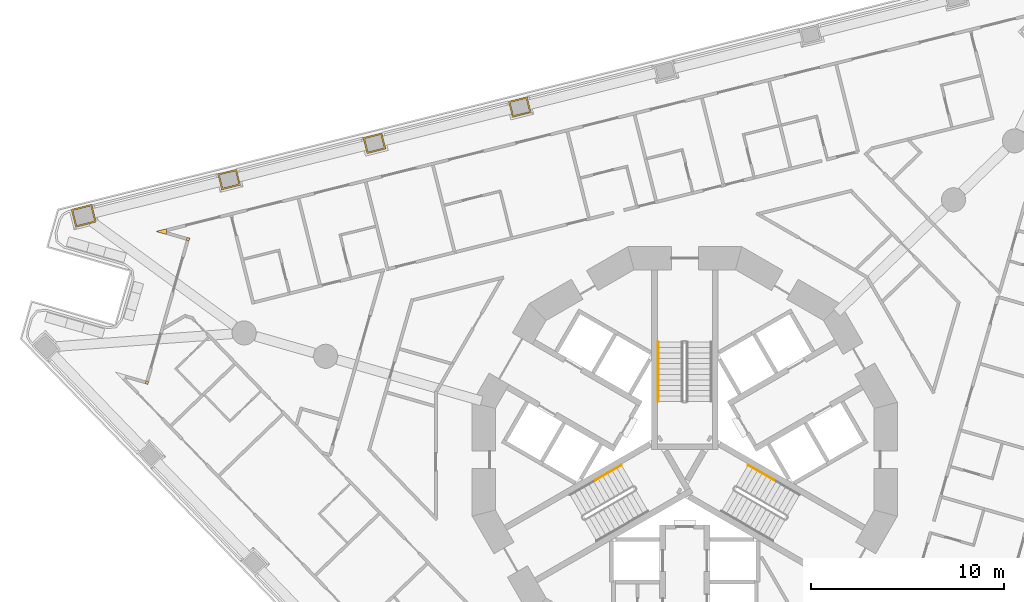
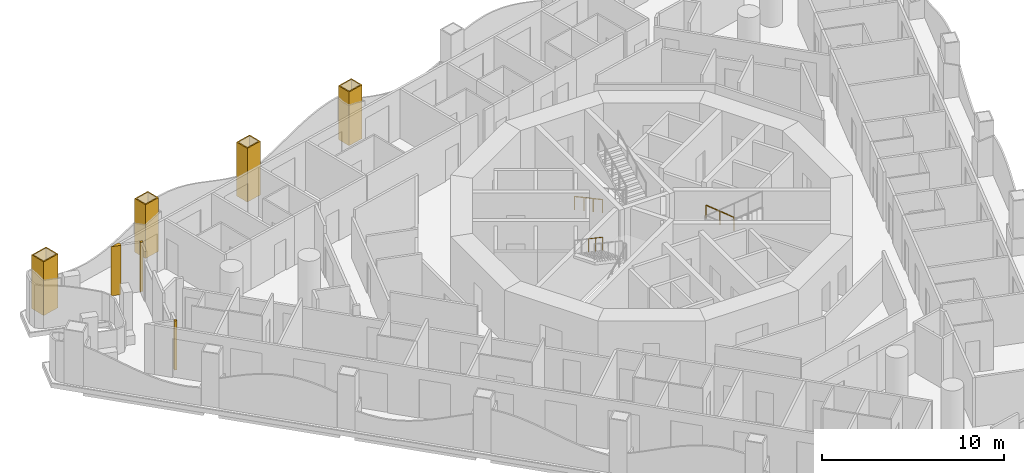
# One storey, part 17 of 20: 7 coverings, 3 railings.
"""IFC4 building model written with IfcOpenShell, lengths in metres."""

from ifc_helpers import new_model, si_unit, direction, frame, origin, origin_2d, place, context, subcontext, project, spatial, polyline, circle, outline, extrude, material, layer, layer_set, type_object, element, save


model = new_model("IFC4")

# Units and contexts
model_context = context("Model", 3, precision=1e-05, world=origin(), true_north=direction((0.0, 1.0)))
body_context = subcontext(model_context, "Body", "Model", "MODEL_VIEW")
ifc_project = project(units=[si_unit("LENGTHUNIT", "METRE"), si_unit("AREAUNIT", "SQUARE_METRE"), si_unit("VOLUMEUNIT", "CUBIC_METRE"), si_unit("PLANEANGLEUNIT", "RADIAN"), si_unit("MASSUNIT", "GRAM", prefix="KILO")], contexts=[model_context])

# Site, building, storey
site_placement = place(None, origin())
site = spatial("IfcSite", under=ifc_project, at=site_placement, CompositionType="ELEMENT")
building_placement = place(site_placement, origin())
building = spatial("IfcBuilding", under=site, at=building_placement, Name="Trine Commons Tower", CompositionType="ELEMENT")
storey_placement = place(building_placement, frame((0.0, 0.0, 101.699951171875)))
storey = spatial("IfcBuildingStorey", under=building, at=storey_placement, Name="L25", CompositionType="ELEMENT", Elevation=101.699951171875)

# Coverings
ifc_material_1 = material(Name="Aluminium-framed insulated wall panel", Category="aluminium")
ifc_layer_1 = layer(ifc_material_1, 0.14990234375)
ifc_layer_set_1 = layer_set([ifc_layer_1], Name="Aluminium-framed insulated wall panel")
covering_type_1 = type_object("IfcCoveringType", Name="Glazing corner post, aluminium", PredefinedType="CLADDING", material=ifc_layer_set_1)
covering_1_placement = place(storey_placement, origin())
element("IfcCovering", 1, at=covering_1_placement, inside=storey, type_object=covering_type_1, Name="Glazing corner post 3-02", PredefinedType="CLADDING", context=body_context, shape_type="SweptSolid", body=[
    extrude(outline(polyline([(52.048828125, 66.416015625), (52.193115234375, 66.374755859375), (52.234375, 66.518798828125), (52.090087890625, 66.560302734375), (52.048828125, 66.416015625)])), origin(), (0.0, 0.0, 1.0), 3.300048828125),
])
covering_2_placement = place(storey_placement, origin())
element("IfcCovering", 2, at=covering_2_placement, inside=storey, type_object=covering_type_1, Name="Glazing corner post 3-03", PredefinedType="CLADDING", context=body_context, shape_type="SweptSolid", body=[
    extrude(outline(polyline([(54.32373046875, 73.805419921875), (54.364990234375, 73.949462890625), (54.220703125, 73.99072265625), (54.179443359375, 73.8466796875), (54.32373046875, 73.805419921875)])), origin(), (0.0, 0.0, 1.0), 3.300048828125),
])
covering_3_placement = place(storey_placement, origin())
element("IfcCovering", 3, at=covering_3_placement, inside=storey, type_object=covering_type_1, Name="Glazing corner post 3-04", PredefinedType="CLADDING", context=body_context, shape_type="SweptSolid", body=[
    extrude(outline(polyline([(53.1357421875, 74.14599609375), (53.17724609375, 74.2900390625), (53.140869140625, 74.435546875), (52.59765625, 74.30029296875), (53.1357421875, 74.14599609375)])), origin(), (0.0, 0.0, 1.0), 3.300048828125),
])
ifc_material_2 = material(Name="Limestone, honed", Category="masonry")
ifc_layer_2 = layer(ifc_material_2, 0.074951171875)
ifc_layer_set_2 = layer_set([ifc_layer_2], Name="Limestone, honed")
covering_type_2 = type_object("IfcCoveringType", Name="Limestone column cladding 75", PredefinedType="CLADDING", material=ifc_layer_set_2)
covering_4_placement = place(storey_placement, origin())
element("IfcCovering", 4, at=covering_4_placement, inside=storey, type_object=covering_type_2, Name="Limestone pier cladding 3-09", PredefinedType="CLADDING", context=body_context, shape_type="SweptSolid", body=[
    extrude(outline(polyline([(49.520751953125, 74.785400390625), (49.291015625, 75.70703125), (48.2236328125, 75.44091796875), (48.45361328125, 74.519287109375), (49.520751953125, 74.785400390625)]), holes=[polyline([(49.429931640625, 74.83984375), (49.236328125, 75.6162109375), (48.314453125, 75.38623046875), (48.508056640625, 74.610107421875), (49.429931640625, 74.83984375)])]), origin(), (0.0, 0.0, 1.0), 3.60009765625),
])
covering_5_placement = place(storey_placement, origin())
element("IfcCovering", 5, at=covering_5_placement, inside=storey, type_object=covering_type_2, Name="Limestone pier cladding 3-10", PredefinedType="CLADDING", context=body_context, shape_type="SweptSolid", body=[
    extrude(outline(polyline([(56.9873046875, 76.698486328125), (56.78173828125, 77.523193359375), (55.811279296875, 77.28125), (56.01708984375, 76.45654296875), (56.9873046875, 76.698486328125)]), holes=[polyline([(56.896484375, 76.7529296875), (56.72705078125, 77.43212890625), (55.90234375, 77.2265625), (56.07177734375, 76.54736328125), (56.896484375, 76.7529296875)])]), origin(), (0.0, 0.0, 1.0), 3.60009765625),
])
covering_6_placement = place(storey_placement, origin())
element("IfcCovering", 6, at=covering_6_placement, inside=storey, type_object=covering_type_2, Name="Limestone pier cladding 3-11", PredefinedType="CLADDING", context=body_context, shape_type="SweptSolid", body=[
    extrude(outline(polyline([(64.5146484375, 78.5751953125), (64.308837890625, 79.39990234375), (63.338623046875, 79.157958984375), (63.544189453125, 78.333251953125), (64.5146484375, 78.5751953125)]), holes=[polyline([(64.423583984375, 78.6298828125), (64.25439453125, 79.30908203125), (63.4296875, 79.103515625), (63.598876953125, 78.42431640625), (64.423583984375, 78.6298828125)])]), origin(), (0.0, 0.0, 1.0), 3.60009765625),
])
covering_7_placement = place(storey_placement, origin())
element("IfcCovering", 7, at=covering_7_placement, inside=storey, type_object=covering_type_2, Name="Limestone pier cladding 3-12", PredefinedType="CLADDING", context=body_context, shape_type="SweptSolid", body=[
    extrude(outline(polyline([(72.0419921875, 80.451904296875), (71.836181640625, 81.276611328125), (70.865966796875, 81.03466796875), (71.071533203125, 80.2099609375), (72.0419921875, 80.451904296875)]), holes=[polyline([(71.950927734375, 80.506591796875), (71.781494140625, 81.185791015625), (70.956787109375, 80.97998046875), (71.126220703125, 80.30078125), (71.950927734375, 80.506591796875)])]), origin(), (0.0, 0.0, 1.0), 3.60009765625),
])

# Railings
ifc_material_3 = material(Name="Stainless steel handrail", Category="steel")
railing_type = type_object("IfcRailingType", Name="Stair handrail, steel 900", PredefinedType="HANDRAIL", material=ifc_material_3)
railing_1_placement = place(storey_placement, frame((78.625, 68.570556640625, 0.150146484375)))
element("IfcRailing", 8, at=railing_1_placement, inside=storey, type_object=railing_type, Name="L25 ST1A stair handrail 1", PredefinedType="HANDRAIL", context=body_context, shape_type="SweptSolid", body=[
    extrude(circle(Radius=0.02099609375, at=origin_2d()), frame((0.0, 0.0, 0.87890625), z_axis=(0.0, -0.881496589024, 0.472190389079), x_axis=(1.0, 0.0, 0.0)), (0.0, 0.0, 1.0), 3.494140625),
    extrude(circle(Radius=0.01513671875, at=origin_2d()), origin(), (0.0, 0.0, 1.0), 0.85791015625),
    extrude(circle(Radius=0.01513671875, at=origin_2d()), frame((0.0, -1.026611328125, 0.550048828125)), (0.0, 0.0, 1.0), 0.85791015625),
    extrude(circle(Radius=0.01513671875, at=origin_2d()), frame((0.0, -2.053466796875, 1.099853515625)), (0.0, 0.0, 1.0), 0.85791015625),
    extrude(circle(Radius=0.01513671875, at=origin_2d()), frame((0.0, -3.080078125, 1.64990234375)), (0.0, 0.0, 1.0), 0.85791015625),
])
railing_2_placement = place(storey_placement, frame((76.72265625, 62.195556640625, 1.949951171875)))
element("IfcRailing", 9, at=railing_2_placement, inside=storey, type_object=railing_type, Name="L25 ST2A stair handrail 3", PredefinedType="HANDRAIL", context=body_context, shape_type="SweptSolid", body=[
    extrude(circle(Radius=0.02099609375, at=origin_2d()), frame((0.0, 0.0, 0.87890625), z_axis=(-0.763354580307, -0.440713956853, 0.472293333596), x_axis=(0.499992328818, -0.866029832698, 0.0)), (0.0, 0.0, 1.0), 1.747314453125),
    extrude(circle(Radius=0.01513671875, at=origin_2d()), origin(), (0.0, 0.0, 1.0), 0.85791015625),
    extrude(circle(Radius=0.01513671875, at=origin_2d()), frame((-0.6669921875, -0.385009765625, 0.41259765625)), (0.0, 0.0, 1.0), 0.85791015625),
    extrude(circle(Radius=0.01513671875, at=origin_2d()), frame((-1.333740234375, -0.77001953125, 0.8251953125)), (0.0, 0.0, 1.0), 0.85791015625),
])
railing_3_placement = place(storey_placement, frame((84.611083984375, 61.425537109375, 0.97509765625)))
element("IfcRailing", 10, at=railing_3_placement, inside=storey, type_object=railing_type, Name="L25 ST3A stair handrail 2", PredefinedType="HANDRAIL", context=body_context, shape_type="SweptSolid", body=[
    extrude(circle(Radius=0.02099609375, at=origin_2d()), frame((0.0, 0.0, 0.87890625), z_axis=(-0.76340495495, 0.440743040072, 0.472184759798), x_axis=(-0.499992328818, -0.866029832698, 0.0)), (0.0, 0.0, 1.0), 1.7470703125),
    extrude(circle(Radius=0.01513671875, at=origin_2d()), origin(), (0.0, 0.0, 1.0), 0.85791015625),
    extrude(circle(Radius=0.01513671875, at=origin_2d()), frame((-0.6669921875, 0.385009765625, 0.41259765625)), (0.0, 0.0, 1.0), 0.85791015625),
    extrude(circle(Radius=0.01513671875, at=origin_2d()), frame((-1.333740234375, 0.77001953125, 0.824951171875)), (0.0, 0.0, 1.0), 0.85791015625),
])

save(model, "model.ifc")
